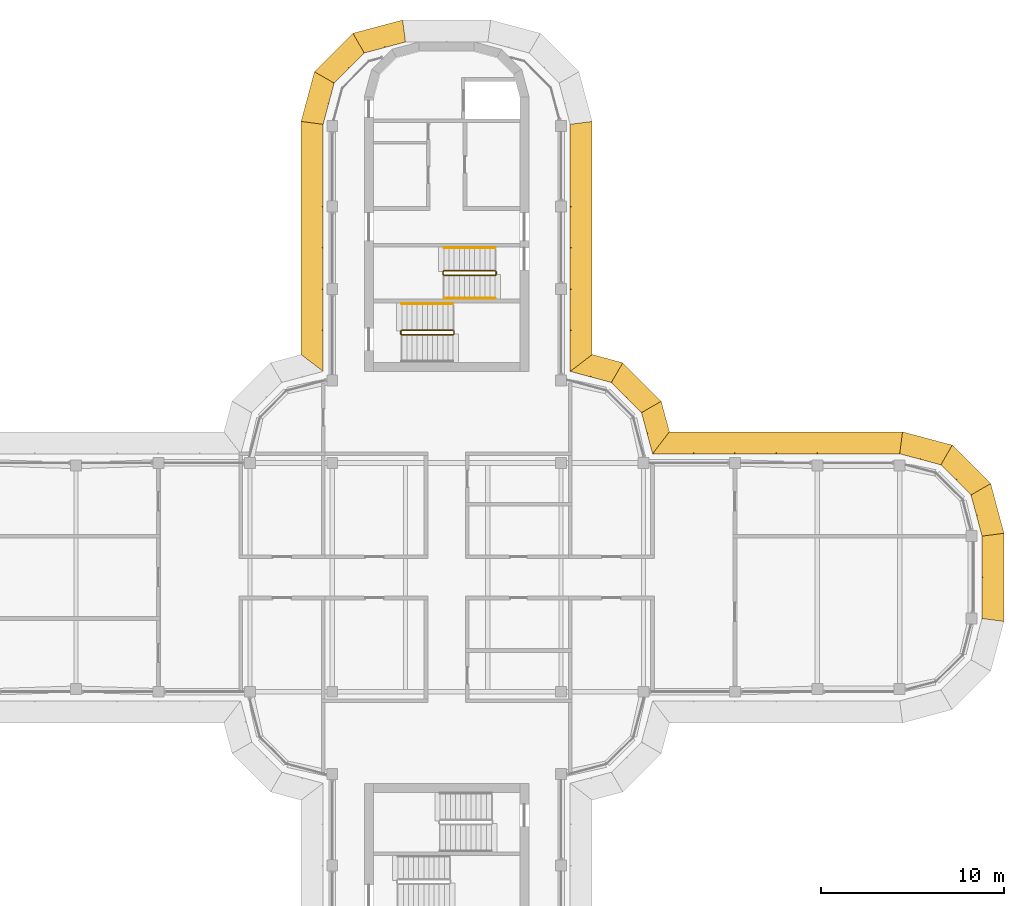
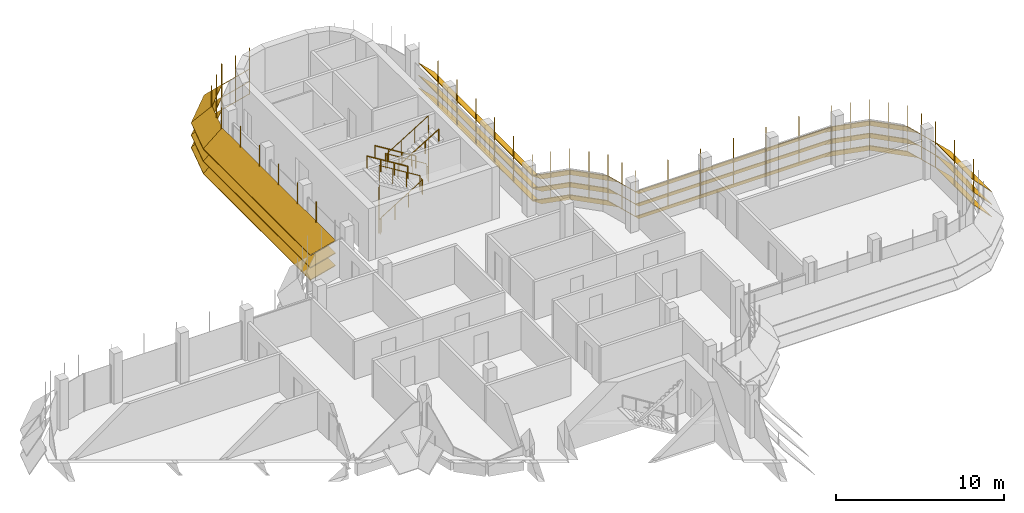
# One storey, part 18 of 19: 7 shading devices, 5 railings.
"""IFC4 building model written with IfcOpenShell, lengths in metres."""

from ifc_helpers import new_model, si_unit, direction, frame, origin, origin_2d, place, context, subcontext, project, spatial, polyline, circle, outline, extrude, faceted_brep, source, transform, mapped, material, type_object, element, save


model = new_model("IFC4")

# Units and contexts
model_context = context("Model", 3, precision=1e-05, world=origin(), true_north=direction((0.0, 1.0)))
body_context = subcontext(model_context, "Body", "Model", "MODEL_VIEW")
ifc_project = project(units=[si_unit("LENGTHUNIT", "METRE"), si_unit("AREAUNIT", "SQUARE_METRE"), si_unit("VOLUMEUNIT", "CUBIC_METRE"), si_unit("PLANEANGLEUNIT", "RADIAN"), si_unit("MASSUNIT", "GRAM", prefix="KILO")], contexts=[model_context])

# Site, building, storey
site_placement = place(None, origin())
site = spatial("IfcSite", under=ifc_project, at=site_placement, CompositionType="ELEMENT")
building_placement = place(site_placement, origin())
building = spatial("IfcBuilding", under=site, at=building_placement, Name="Zarbagh Exchange Tower", CompositionType="ELEMENT")
storey_placement = place(building_placement, frame((0.0, 0.0, 268.800048828125)))
storey = spatial("IfcBuildingStorey", under=building, at=storey_placement, Name="L66", CompositionType="ELEMENT", Elevation=268.800048828125)

# Railings
ifc_material_1 = material(Name="Stainless steel", Category="steel")
railing_type_1 = type_object("IfcRailingType", Name="Stair guard 1100 mm", PredefinedType="GUARDRAIL", material=ifc_material_1)
railing_1_placement = place(storey_placement, frame((2.64990234375, 16.75, 0.172607421875)))
element("IfcRailing", 1, at=railing_1_placement, inside=storey, type_object=railing_type_1, Name="ST1 stair guard 1", PredefinedType="GUARDRAIL", context=body_context, shape_type="SweptSolid", body=[
    extrude(circle(Radius=0.02392578125, at=origin_2d()), frame((0.0, 0.0, 1.076171875), z_axis=(-0.851069175582, 0.0, 0.525053576669), x_axis=(0.0, -1.0, 0.0)), (0.0, 0.0, 1.0), 3.289794921875),
    extrude(circle(Radius=0.02392578125, at=origin_2d()), frame((-2.7998046875, 0.0, 2.80322265625), z_axis=(-0.707106781187, -0.707106781187, 0.0), x_axis=(0.707106781187, -0.707106781187, 0.0)), (0.0, 0.0, 1.0), 0.07080078125),
    extrude(circle(Radius=0.02392578125, at=origin_2d()), frame((-2.849853515625, -0.050048828125, 2.80322265625), z_axis=(0.0, -1.0, 0.0), x_axis=(1.0, 0.0, 0.0)), (0.0, 0.0, 1.0), 0.14990234375),
    extrude(circle(Radius=0.02392578125, at=origin_2d()), frame((-2.849853515625, -0.199951171875, 2.80322265625), z_axis=(0.267953482034, -0.267953482034, 0.925419830635), x_axis=(0.707106781187, 0.707106781187, 0.0)), (0.0, 0.0, 1.0), 0.186767578125),
    extrude(circle(Radius=0.02392578125, at=origin_2d()), frame((-2.7998046875, -0.25, 2.97607421875), z_axis=(0.851069175582, 0.0, 0.525053576669), x_axis=(0.0, 1.0, 0.0)), (0.0, 0.0, 1.0), 3.289794921875),
    extrude(circle(Radius=0.02392578125, at=origin_2d()), frame((0.0, -0.25, 4.70361328125), z_axis=(0.013168290981, 0.013168290981, -0.999826581076), x_axis=(-0.707106781187, 0.707106781187, 0.0)), (0.0, 0.0, 1.0), 3.80078125),
    extrude(circle(Radius=0.02392578125, at=origin_2d()), frame((0.050048828125, -0.199951171875, 0.9033203125), z_axis=(0.0, 1.0, 0.0), x_axis=(-1.0, 0.0, 0.0)), (0.0, 0.0, 1.0), 0.14990234375),
    extrude(circle(Radius=0.02099609375, at=origin_2d()), origin(), (0.0, 0.0, 1.0), 1.052001953125),
    extrude(circle(Radius=0.02099609375, at=origin_2d()), frame((-0.933349609375, 0.0, 0.57568359375)), (0.0, 0.0, 1.0), 1.052001953125),
    extrude(circle(Radius=0.02099609375, at=origin_2d()), frame((-1.866455078125, 0.0, 1.151611328125)), (0.0, 0.0, 1.0), 1.052001953125),
    extrude(circle(Radius=0.02099609375, at=origin_2d()), frame((-2.7998046875, 0.0, 1.727294921875)), (0.0, 0.0, 1.0), 1.052001953125),
    extrude(circle(Radius=0.02099609375, at=origin_2d()), frame((-2.849853515625, -0.050048828125, 1.727294921875)), (0.0, 0.0, 1.0), 1.052001953125),
    extrude(circle(Radius=0.02099609375, at=origin_2d()), frame((-2.849853515625, -0.199951171875, 1.727294921875)), (0.0, 0.0, 1.0), 1.052001953125),
    extrude(circle(Radius=0.02099609375, at=origin_2d()), frame((-2.7998046875, -0.25, 1.900146484375)), (0.0, 0.0, 1.0), 1.052001953125),
    extrude(circle(Radius=0.02099609375, at=origin_2d()), frame((-1.866455078125, -0.25, 2.475830078125)), (0.0, 0.0, 1.0), 1.052001953125),
    extrude(circle(Radius=0.02099609375, at=origin_2d()), frame((-0.933349609375, -0.25, 3.0517578125)), (0.0, 0.0, 1.0), 1.052001953125),
    extrude(circle(Radius=0.02099609375, at=origin_2d()), frame((0.0, -0.25, 3.62744140625)), (0.0, 0.0, 1.0), 1.052001953125),
    extrude(circle(Radius=0.02099609375, at=origin_2d()), frame((0.012451171875, -0.237548828125, 2.677490234375)), (0.0, 0.0, 1.0), 1.052001953125),
    extrude(circle(Radius=0.02099609375, at=origin_2d()), frame((0.02490234375, -0.22509765625, 1.7275390625)), (0.0, 0.0, 1.0), 1.052001953125),
    extrude(circle(Radius=0.02099609375, at=origin_2d()), frame((0.03759765625, -0.21240234375, 0.77734375)), (0.0, 0.0, 1.0), 1.052001953125),
    extrude(circle(Radius=0.02099609375, at=origin_2d()), frame((0.050048828125, -0.199951171875, -0.172607421875)), (0.0, 0.0, 1.0), 1.052001953125),
    extrude(circle(Radius=0.02099609375, at=origin_2d()), frame((0.050048828125, -0.050048828125, -0.172607421875)), (0.0, 0.0, 1.0), 1.052001953125),
])
railing_2_placement = place(storey_placement, frame((0.35009765625, 13.5, 2.07275390625)))
element("IfcRailing", 2, at=railing_2_placement, inside=storey, type_object=railing_type_1, Name="ST2 stair guard 1", PredefinedType="GUARDRAIL", context=body_context, shape_type="SweptSolid", body=[
    extrude(circle(Radius=0.02392578125, at=origin_2d()), frame((0.0, 0.0, 1.076171875), z_axis=(-0.851089632645, 0.0, 0.525020415988), x_axis=(0.0, -1.0, 0.0)), (0.0, 0.0, 1.0), 3.2900390625),
    extrude(circle(Radius=0.02392578125, at=origin_2d()), frame((-2.800048828125, 0.0, 2.80322265625), z_axis=(-0.013168290981, -0.013168290981, -0.999826581076), x_axis=(0.707106781187, -0.707106781187, 0.0)), (0.0, 0.0, 1.0), 3.80078125),
    extrude(circle(Radius=0.02392578125, at=origin_2d()), frame((-2.85009765625, -0.050048828125, -0.99658203125), z_axis=(0.0, -1.0, 0.0), x_axis=(1.0, 0.0, 0.0)), (0.0, 0.0, 1.0), 0.14990234375),
    extrude(circle(Radius=0.02392578125, at=origin_2d()), frame((-2.85009765625, -0.199951171875, -0.99658203125), z_axis=(0.268277960024, -0.268277960024, 0.925231793839), x_axis=(0.707106781187, 0.707106781187, 0.0)), (0.0, 0.0, 1.0), 0.1865234375),
    extrude(circle(Radius=0.02392578125, at=origin_2d()), frame((-2.800048828125, -0.25, -0.82421875), z_axis=(0.851089632645, 0.0, 0.525020415988), x_axis=(0.0, 1.0, 0.0)), (0.0, 0.0, 1.0), 3.2900390625),
    extrude(circle(Radius=0.02392578125, at=origin_2d()), frame((0.0, -0.25, 0.9033203125), z_axis=(0.705375805398, 0.708833529934, 0.0), x_axis=(-0.708833529934, 0.705375805398, 0.0)), (0.0, 0.0, 1.0), 0.070556640625),
    extrude(circle(Radius=0.02392578125, at=origin_2d()), frame((0.0498046875, -0.199951171875, 0.9033203125), z_axis=(0.0, 1.0, 0.0), x_axis=(-1.0, 0.0, 0.0)), (0.0, 0.0, 1.0), 0.14990234375),
    extrude(circle(Radius=0.02099609375, at=origin_2d()), origin(), (0.0, 0.0, 1.0), 1.052001953125),
    extrude(circle(Radius=0.02099609375, at=origin_2d()), frame((-0.933349609375, 0.0, 0.57568359375)), (0.0, 0.0, 1.0), 1.052001953125),
    extrude(circle(Radius=0.02099609375, at=origin_2d()), frame((-1.86669921875, 0.0, 1.151611328125)), (0.0, 0.0, 1.0), 1.052001953125),
    extrude(circle(Radius=0.02099609375, at=origin_2d()), frame((-2.800048828125, 0.0, 1.727294921875)), (0.0, 0.0, 1.0), 1.052001953125),
    extrude(circle(Radius=0.02099609375, at=origin_2d()), frame((-2.8125, -0.012451171875, 0.77734375)), (0.0, 0.0, 1.0), 1.052001953125),
    extrude(circle(Radius=0.02099609375, at=origin_2d()), frame((-2.8251953125, -0.02490234375, -0.1728515625)), (0.0, 0.0, 1.0), 1.052001953125),
    extrude(circle(Radius=0.02099609375, at=origin_2d()), frame((-2.837646484375, -0.03759765625, -1.122802734375)), (0.0, 0.0, 1.0), 1.052001953125),
    extrude(circle(Radius=0.02099609375, at=origin_2d()), frame((-2.85009765625, -0.050048828125, -2.07275390625)), (0.0, 0.0, 1.0), 1.052001953125),
    extrude(circle(Radius=0.02099609375, at=origin_2d()), frame((-2.85009765625, -0.199951171875, -2.07275390625)), (0.0, 0.0, 1.0), 1.052001953125),
    extrude(circle(Radius=0.02099609375, at=origin_2d()), frame((-2.800048828125, -0.25, -1.900146484375)), (0.0, 0.0, 1.0), 1.052001953125),
    extrude(circle(Radius=0.02099609375, at=origin_2d()), frame((-1.86669921875, -0.25, -1.324462890625)), (0.0, 0.0, 1.0), 1.052001953125),
    extrude(circle(Radius=0.02099609375, at=origin_2d()), frame((-0.933349609375, -0.25, -0.74853515625)), (0.0, 0.0, 1.0), 1.052001953125),
    extrude(circle(Radius=0.02099609375, at=origin_2d()), frame((0.0, -0.25, -0.1728515625)), (0.0, 0.0, 1.0), 1.052001953125),
    extrude(circle(Radius=0.02099609375, at=origin_2d()), frame((0.0498046875, -0.199951171875, -0.1728515625)), (0.0, 0.0, 1.0), 1.052001953125),
    extrude(circle(Radius=0.02099609375, at=origin_2d()), frame((0.0498046875, -0.050048828125, -0.1728515625)), (0.0, 0.0, 1.0), 1.052001953125),
])
railing_type_2 = type_object("IfcRailingType", Name="Stair handrail 900 mm", PredefinedType="HANDRAIL", material=ifc_material_1)
railing_3_placement = place(storey_placement, frame((2.64990234375, 18.0, 0.172607421875)))
element("IfcRailing", 3, at=railing_3_placement, inside=storey, type_object=railing_type_2, Name="ST1 stair handrail 1", PredefinedType="HANDRAIL", context=body_context, shape_type="SweptSolid", body=[
    extrude(circle(Radius=0.02392578125, at=origin_2d()), frame((0.0, 0.0, 0.8759765625), z_axis=(-0.851069175582, 0.0, 0.525053576669), x_axis=(0.0, -1.0, 0.0)), (0.0, 0.0, 1.0), 3.289794921875),
    extrude(circle(Radius=0.02099609375, at=origin_2d()), origin(), (0.0, 0.0, 1.0), 0.851806640625),
    extrude(circle(Radius=0.02099609375, at=origin_2d()), frame((-0.933349609375, 0.0, 0.57568359375)), (0.0, 0.0, 1.0), 0.851806640625),
    extrude(circle(Radius=0.02099609375, at=origin_2d()), frame((-1.866455078125, 0.0, 1.151611328125)), (0.0, 0.0, 1.0), 0.851806640625),
    extrude(circle(Radius=0.02099609375, at=origin_2d()), frame((-2.7998046875, 0.0, 1.727294921875)), (0.0, 0.0, 1.0), 0.851806640625),
])
railing_4_placement = place(storey_placement, frame((-0.14990234375, 15.25, 2.07275390625)))
element("IfcRailing", 4, at=railing_4_placement, inside=storey, type_object=railing_type_2, Name="ST1 stair handrail 2", PredefinedType="HANDRAIL", context=body_context, shape_type="SweptSolid", body=[
    extrude(circle(Radius=0.02392578125, at=origin_2d()), frame((0.0, 0.0, 0.8759765625), z_axis=(0.851069175582, 0.0, 0.525053576669), x_axis=(0.0, 1.0, 0.0)), (0.0, 0.0, 1.0), 3.289794921875),
    extrude(circle(Radius=0.02099609375, at=origin_2d()), origin(), (0.0, 0.0, 1.0), 0.851806640625),
    extrude(circle(Radius=0.02099609375, at=origin_2d()), frame((0.933349609375, 0.0, 0.57568359375)), (0.0, 0.0, 1.0), 0.851806640625),
    extrude(circle(Radius=0.02099609375, at=origin_2d()), frame((1.866455078125, 0.0, 1.151611328125)), (0.0, 0.0, 1.0), 0.851806640625),
    extrude(circle(Radius=0.02099609375, at=origin_2d()), frame((2.7998046875, 0.0, 1.727294921875)), (0.0, 0.0, 1.0), 0.851806640625),
])
railing_5_placement = place(storey_placement, frame((0.35009765625, 14.949951171875, 2.07275390625)))
element("IfcRailing", 5, at=railing_5_placement, inside=storey, type_object=railing_type_2, Name="ST2 stair handrail 2", PredefinedType="HANDRAIL", context=body_context, shape_type="SweptSolid", body=[
    extrude(circle(Radius=0.02392578125, at=origin_2d()), frame((0.0, 0.0, 0.8759765625), z_axis=(-0.851089632645, 0.0, 0.525020415988), x_axis=(0.0, -1.0, 0.0)), (0.0, 0.0, 1.0), 3.2900390625),
    extrude(circle(Radius=0.02099609375, at=origin_2d()), origin(), (0.0, 0.0, 1.0), 0.851806640625),
    extrude(circle(Radius=0.02099609375, at=origin_2d()), frame((-0.933349609375, 0.0, 0.57568359375)), (0.0, 0.0, 1.0), 0.851806640625),
    extrude(circle(Radius=0.02099609375, at=origin_2d()), frame((-1.86669921875, 0.0, 1.151611328125)), (0.0, 0.0, 1.0), 0.851806640625),
    extrude(circle(Radius=0.02099609375, at=origin_2d()), frame((-2.800048828125, 0.0, 1.727294921875)), (0.0, 0.0, 1.0), 0.851806640625),
])

# Shading devices
ifc_material_2 = material(Name="Anodised aluminium blades and brackets", Category="aluminium")
shading_device_type = type_object("IfcShadingDeviceType", Name="SUNSHADE louvre band, 45 degree blades", PredefinedType="JALOUSIE", material=ifc_material_2)
shared_shape_1 = source(origin(), body_context, "Body", "Brep", [
    faceted_brep([(0.0, 0.0, 0.0), (0.0, 0.0, -0.056640625), (-0.157958984375, -1.199951171875, -1.256591796875), (-0.157958984375, -1.199951171875, -1.199951171875), (2.65087890625, -1.199951171875, -1.199951171875), (2.65087890625, -1.199951171875, -1.256591796875), (2.329345703125, 0.0, -0.056640625), (2.329345703125, 0.0, 0.0)], [[[0, 1, 2, 3]], [[4, 5, 6, 7]], [[0, 7, 6, 1]], [[1, 6, 5, 2]], [[2, 5, 4, 3]], [[3, 4, 7, 0]]]),
])
shared_shape_2 = source(origin(), body_context, "Body", "Brep", [
    faceted_brep([(0.0, 0.0, 0.0), (0.0, 0.0, -0.056640625), (-0.321533203125, -1.199951171875, -1.256591796875), (-0.321533203125, -1.199951171875, -1.199951171875), (2.65087890625, -1.199951171875, -1.199951171875), (2.65087890625, -1.199951171875, -1.256591796875), (2.329345703125, 0.0, -0.056640625), (2.329345703125, 0.0, 0.0)], [[[0, 1, 2, 3]], [[4, 5, 6, 7]], [[0, 7, 6, 1]], [[1, 6, 5, 2]], [[2, 5, 4, 3]], [[3, 4, 7, 0]]]),
])
shared_shape_3 = source(origin(), body_context, "Body", "Brep", [
    faceted_brep([(0.0, 0.0, 0.0), (0.0, 0.0, -0.056640625), (-0.321533203125, -1.199951171875, -1.256591796875), (-0.321533203125, -1.199951171875, -1.199951171875), (2.4873046875, -1.199951171875, -1.199951171875), (2.4873046875, -1.199951171875, -1.256591796875), (2.329345703125, 0.0, -0.056640625), (2.329345703125, 0.0, 0.0)], [[[0, 1, 2, 3]], [[4, 5, 6, 7]], [[0, 7, 6, 1]], [[1, 6, 5, 2]], [[2, 5, 4, 3]], [[3, 4, 7, 0]]]),
])
shared_shape_4 = source(origin(), body_context, "Body", "SweptSolid", [
    extrude(outline(polyline([(0.0, -0.012451171875), (0.06005859375, -0.012451171875), (0.06005859375, 0.012451171875), (0.0, 0.012451171875), (0.0, -0.012451171875)])), origin(), (0.0, 0.0, 1.0), 3.366455078125),
])
placement = place(storey_placement, origin())
element("IfcShadingDevice", 6, at=placement, inside=storey, type_object=shading_device_type, Name="SS53 sunshade band", PredefinedType="JALOUSIE", context=body_context, shape_type="MappedRepresentation", body=[
    mapped(shared_shape_1, transform((29.25, 2.25, 2.300048828125), x_axis=(-0.258824779902, 0.965924289636, 0.0), y_axis=(-0.965924289636, -0.258824779902, 0.0), z_axis=(0.0, 0.0, 1.0))),
    mapped(shared_shape_1, transform((29.25, 2.25, 1.39990234375), x_axis=(-0.258824779902, 0.965924289636, 0.0), y_axis=(-0.965924289636, -0.258824779902, 0.0), z_axis=(0.0, 0.0, 1.0))),
    mapped(shared_shape_1, transform((29.25, 2.25, 0.5), x_axis=(-0.258824779902, 0.965924289636, 0.0), y_axis=(-0.965924289636, -0.258824779902, 0.0), z_axis=(0.0, 0.0, 1.0))),
    mapped(shared_shape_2, transform((28.647216796875, 4.5, 2.300048828125), x_axis=(-0.707106781187, 0.707106781187, 0.0), y_axis=(-0.707106781187, -0.707106781187, 0.0), z_axis=(0.0, 0.0, 1.0))),
    mapped(shared_shape_2, transform((28.647216796875, 4.5, 1.39990234375), x_axis=(-0.707106781187, 0.707106781187, 0.0), y_axis=(-0.707106781187, -0.707106781187, 0.0), z_axis=(0.0, 0.0, 1.0))),
    mapped(shared_shape_2, transform((28.647216796875, 4.5, 0.5), x_axis=(-0.707106781187, 0.707106781187, 0.0), y_axis=(-0.707106781187, -0.707106781187, 0.0), z_axis=(0.0, 0.0, 1.0))),
    mapped(shared_shape_3, transform((27.0, 6.147216796875, 2.300048828125), x_axis=(-0.965924289636, 0.258824779902, 0.0), y_axis=(-0.258824779902, -0.965924289636, 0.0), z_axis=(0.0, 0.0, 1.0))),
    mapped(shared_shape_3, transform((27.0, 6.147216796875, 1.39990234375), x_axis=(-0.965924289636, 0.258824779902, 0.0), y_axis=(-0.258824779902, -0.965924289636, 0.0), z_axis=(0.0, 0.0, 1.0))),
    mapped(shared_shape_3, transform((27.0, 6.147216796875, 0.5), x_axis=(-0.965924289636, 0.258824779902, 0.0), y_axis=(-0.258824779902, -0.965924289636, 0.0), z_axis=(0.0, 0.0, 1.0))),
    mapped(shared_shape_4, transform((29.25, 2.25, 0.413330078125), x_axis=(0.991444457092, 0.130529263012, 0.0), y_axis=(-0.130529263012, 0.991444457092, 0.0), z_axis=(0.0, 0.0, 1.0))),
    mapped(shared_shape_4, transform((28.948486328125, 3.375, 0.413330078125), x_axis=(0.96592421511, 0.258825058029, 0.0), y_axis=(-0.258825058029, 0.96592421511, 0.0), z_axis=(0.0, 0.0, 1.0))),
    mapped(shared_shape_4, transform((28.647216796875, 4.5, 0.413330078125), x_axis=(0.866023812018, 0.50000275701, 0.0), y_axis=(-0.50000275701, 0.866023812018, 0.0), z_axis=(0.0, 0.0, 1.0))),
    mapped(shared_shape_4, transform((27.823486328125, 5.323486328125, 0.413330078125), x_axis=(0.707106781187, 0.707106781187, 0.0), y_axis=(-0.707106781187, 0.707106781187, 0.0), z_axis=(0.0, 0.0, 1.0))),
    mapped(shared_shape_4, transform((27.0, 6.147216796875, 0.413330078125), x_axis=(0.50000275701, 0.866023812018, 0.0), y_axis=(-0.866023812018, 0.50000275701, 0.0), z_axis=(0.0, 0.0, 1.0))),
    mapped(shared_shape_4, transform((25.875, 6.448486328125, 0.413330078125), x_axis=(0.258825058029, 0.96592421511, 0.0), y_axis=(-0.96592421511, 0.258825058029, 0.0), z_axis=(0.0, 0.0, 1.0))),
])
element("IfcShadingDevice", 7, at=placement, inside=storey, type_object=shading_device_type, Name="SS48 sunshade band", PredefinedType="JALOUSIE", context=body_context, shape_type="MappedRepresentation", body=[
    mapped(shared_shape_1, transform((-2.25, 29.25, 2.300048828125), x_axis=(-0.965924289636, -0.258824779902, 0.0), y_axis=(0.258824779902, -0.965924289636, 0.0), z_axis=(0.0, 0.0, 1.0))),
    mapped(shared_shape_1, transform((-2.25, 29.25, 1.39990234375), x_axis=(-0.965924289636, -0.258824779902, 0.0), y_axis=(0.258824779902, -0.965924289636, 0.0), z_axis=(0.0, 0.0, 1.0))),
    mapped(shared_shape_1, transform((-2.25, 29.25, 0.5), x_axis=(-0.965924289636, -0.258824779902, 0.0), y_axis=(0.258824779902, -0.965924289636, 0.0), z_axis=(0.0, 0.0, 1.0))),
    mapped(shared_shape_2, transform((-4.5, 28.647216796875, 2.300048828125), x_axis=(-0.707106781187, -0.707106781187, 0.0), y_axis=(0.707106781187, -0.707106781187, 0.0), z_axis=(0.0, 0.0, 1.0))),
    mapped(shared_shape_2, transform((-4.5, 28.647216796875, 1.39990234375), x_axis=(-0.707106781187, -0.707106781187, 0.0), y_axis=(0.707106781187, -0.707106781187, 0.0), z_axis=(0.0, 0.0, 1.0))),
    mapped(shared_shape_2, transform((-4.5, 28.647216796875, 0.5), x_axis=(-0.707106781187, -0.707106781187, 0.0), y_axis=(0.707106781187, -0.707106781187, 0.0), z_axis=(0.0, 0.0, 1.0))),
    mapped(shared_shape_3, transform((-6.147216796875, 27.0, 2.300048828125), x_axis=(-0.258824779902, -0.965924289636, 0.0), y_axis=(0.965924289636, -0.258824779902, 0.0), z_axis=(0.0, 0.0, 1.0))),
    mapped(shared_shape_3, transform((-6.147216796875, 27.0, 1.39990234375), x_axis=(-0.258824779902, -0.965924289636, 0.0), y_axis=(0.965924289636, -0.258824779902, 0.0), z_axis=(0.0, 0.0, 1.0))),
    mapped(shared_shape_3, transform((-6.147216796875, 27.0, 0.5), x_axis=(-0.258824779902, -0.965924289636, 0.0), y_axis=(0.965924289636, -0.258824779902, 0.0), z_axis=(0.0, 0.0, 1.0))),
    mapped(shared_shape_4, transform((-2.25, 29.25, 0.413330078125), x_axis=(-0.130529263012, 0.991444457092, 0.0), y_axis=(-0.991444457092, -0.130529263012, 0.0), z_axis=(0.0, 0.0, 1.0))),
    mapped(shared_shape_4, transform((-3.375, 28.948486328125, 0.413330078125), x_axis=(-0.258825058029, 0.96592421511, 0.0), y_axis=(-0.96592421511, -0.258825058029, 0.0), z_axis=(0.0, 0.0, 1.0))),
    mapped(shared_shape_4, transform((-4.5, 28.647216796875, 0.413330078125), x_axis=(-0.50000275701, 0.866023812018, 0.0), y_axis=(-0.866023812018, -0.50000275701, 0.0), z_axis=(0.0, 0.0, 1.0))),
    mapped(shared_shape_4, transform((-5.323486328125, 27.823486328125, 0.413330078125), x_axis=(-0.707106781187, 0.707106781187, 0.0), y_axis=(-0.707106781187, -0.707106781187, 0.0), z_axis=(0.0, 0.0, 1.0))),
    mapped(shared_shape_4, transform((-6.147216796875, 27.0, 0.413330078125), x_axis=(-0.866023812018, 0.50000275701, 0.0), y_axis=(-0.50000275701, -0.866023812018, 0.0), z_axis=(0.0, 0.0, 1.0))),
    mapped(shared_shape_4, transform((-6.448486328125, 25.875, 0.413330078125), x_axis=(-0.96592421511, 0.258825058029, 0.0), y_axis=(-0.258825058029, -0.96592421511, 0.0), z_axis=(0.0, 0.0, 1.0))),
])
shared_shape_5 = source(origin(), body_context, "Body", "Brep", [
    faceted_brep([(0.0, 0.0, 0.0), (0.0, 0.0, -0.056640625), (0.9208984375, -1.199951171875, -1.256591796875), (0.9208984375, -1.199951171875, -1.199951171875), (2.65087890625, -1.199951171875, -1.199951171875), (2.65087890625, -1.199951171875, -1.256591796875), (2.329345703125, 0.0, -0.056640625), (2.329345703125, 0.0, 0.0)], [[[0, 1, 2, 3]], [[4, 5, 6, 7]], [[0, 7, 6, 1]], [[1, 6, 5, 2]], [[2, 5, 4, 3]], [[3, 4, 7, 0]]]),
])
shared_shape_6 = source(origin(), body_context, "Body", "Brep", [
    faceted_brep([(0.0, 0.0, 0.0), (0.0, 0.0, -0.056640625), (-0.321533203125, -1.199951171875, -1.256591796875), (-0.321533203125, -1.199951171875, -1.199951171875), (1.40869140625, -1.199951171875, -1.199951171875), (1.40869140625, -1.199951171875, -1.256591796875), (2.329345703125, 0.0, -0.056640625), (2.329345703125, 0.0, 0.0)], [[[0, 1, 2, 3]], [[4, 5, 6, 7]], [[0, 7, 6, 1]], [[1, 6, 5, 2]], [[2, 5, 4, 3]], [[3, 4, 7, 0]]]),
])
element("IfcShadingDevice", 8, at=placement, inside=storey, type_object=shading_device_type, Name="SS09 sunshade band", PredefinedType="JALOUSIE", context=body_context, shape_type="MappedRepresentation", body=[
    mapped(shared_shape_5, transform((11.25, 6.75, 2.300048828125), x_axis=(-0.258824779902, 0.965924289636, 0.0), y_axis=(-0.965924289636, -0.258824779902, 0.0), z_axis=(0.0, 0.0, 1.0))),
    mapped(shared_shape_5, transform((11.25, 6.75, 1.39990234375), x_axis=(-0.258824779902, 0.965924289636, 0.0), y_axis=(-0.965924289636, -0.258824779902, 0.0), z_axis=(0.0, 0.0, 1.0))),
    mapped(shared_shape_5, transform((11.25, 6.75, 0.5), x_axis=(-0.258824779902, 0.965924289636, 0.0), y_axis=(-0.965924289636, -0.258824779902, 0.0), z_axis=(0.0, 0.0, 1.0))),
    mapped(shared_shape_2, transform((10.647216796875, 9.0, 2.300048828125), x_axis=(-0.707106781187, 0.707106781187, 0.0), y_axis=(-0.707106781187, -0.707106781187, 0.0), z_axis=(0.0, 0.0, 1.0))),
    mapped(shared_shape_2, transform((10.647216796875, 9.0, 1.39990234375), x_axis=(-0.707106781187, 0.707106781187, 0.0), y_axis=(-0.707106781187, -0.707106781187, 0.0), z_axis=(0.0, 0.0, 1.0))),
    mapped(shared_shape_2, transform((10.647216796875, 9.0, 0.5), x_axis=(-0.707106781187, 0.707106781187, 0.0), y_axis=(-0.707106781187, -0.707106781187, 0.0), z_axis=(0.0, 0.0, 1.0))),
    mapped(shared_shape_6, transform((9.0, 10.647216796875, 2.300048828125), x_axis=(-0.965924289636, 0.258824779902, 0.0), y_axis=(-0.258824779902, -0.965924289636, 0.0), z_axis=(0.0, 0.0, 1.0))),
    mapped(shared_shape_6, transform((9.0, 10.647216796875, 1.39990234375), x_axis=(-0.965924289636, 0.258824779902, 0.0), y_axis=(-0.258824779902, -0.965924289636, 0.0), z_axis=(0.0, 0.0, 1.0))),
    mapped(shared_shape_6, transform((9.0, 10.647216796875, 0.5), x_axis=(-0.965924289636, 0.258824779902, 0.0), y_axis=(-0.258824779902, -0.965924289636, 0.0), z_axis=(0.0, 0.0, 1.0))),
    mapped(shared_shape_4, transform((11.25, 6.75, 0.413330078125), x_axis=(0.608758892, 0.793355287, 0.0), y_axis=(-0.793355287, 0.608758892, 0.0), z_axis=(0.0, 0.0, 1.0))),
    mapped(shared_shape_4, transform((10.948486328125, 7.875, 0.413330078125), x_axis=(0.96592421511, 0.258825058029, 0.0), y_axis=(-0.258825058029, 0.96592421511, 0.0), z_axis=(0.0, 0.0, 1.0))),
    mapped(shared_shape_4, transform((10.647216796875, 9.0, 0.413330078125), x_axis=(0.866023812018, 0.50000275701, 0.0), y_axis=(-0.50000275701, 0.866023812018, 0.0), z_axis=(0.0, 0.0, 1.0))),
    mapped(shared_shape_4, transform((9.823486328125, 9.823486328125, 0.413330078125), x_axis=(0.707106781187, 0.707106781187, 0.0), y_axis=(-0.707106781187, 0.707106781187, 0.0), z_axis=(0.0, 0.0, 1.0))),
    mapped(shared_shape_4, transform((9.0, 10.647216796875, 0.413330078125), x_axis=(0.50000275701, 0.866023812018, 0.0), y_axis=(-0.866023812018, 0.50000275701, 0.0), z_axis=(0.0, 0.0, 1.0))),
    mapped(shared_shape_4, transform((7.875, 10.948486328125, 0.413330078125), x_axis=(0.258825058029, 0.96592421511, 0.0), y_axis=(-0.96592421511, 0.258825058029, 0.0), z_axis=(0.0, 0.0, 1.0))),
])
shared_shape_7 = source(origin(), body_context, "Body", "Brep", [
    faceted_brep([(0.0, 0.0, 0.0), (0.0, 0.0, -0.056640625), (-0.157958984375, -1.199951171875, -1.256591796875), (-0.157958984375, -1.199951171875, -1.199951171875), (4.657958984375, -1.199951171875, -1.199951171875), (4.657958984375, -1.199951171875, -1.256591796875), (4.5, 0.0, -0.056640625), (4.5, 0.0, 0.0)], [[[0, 1, 2, 3]], [[4, 5, 6, 7]], [[0, 7, 6, 1]], [[1, 6, 5, 2]], [[2, 5, 4, 3]], [[3, 4, 7, 0]]]),
])
element("IfcShadingDevice", 9, at=placement, inside=storey, type_object=shading_device_type, Name="SS52 sunshade band", PredefinedType="JALOUSIE", context=body_context, shape_type="MappedRepresentation", body=[
    mapped(shared_shape_7, transform((29.25, -2.25, 2.300048828125), x_axis=(0.0, 1.0, 0.0), y_axis=(-1.0, 0.0, 0.0), z_axis=(0.0, 0.0, 1.0))),
    mapped(shared_shape_7, transform((29.25, -2.25, 1.39990234375), x_axis=(0.0, 1.0, 0.0), y_axis=(-1.0, 0.0, 0.0), z_axis=(0.0, 0.0, 1.0))),
    mapped(shared_shape_7, transform((29.25, -2.25, 0.5), x_axis=(0.0, 1.0, 0.0), y_axis=(-1.0, 0.0, 0.0), z_axis=(0.0, 0.0, 1.0))),
    mapped(shared_shape_4, transform((29.25, -2.25, 0.413330078125), x_axis=(0.991444457092, -0.130529263012, 0.0), y_axis=(0.130529263012, 0.991444457092, 0.0), z_axis=(0.0, 0.0, 1.0))),
    mapped(shared_shape_4, transform((29.25, 0.0, 0.413330078125), x_axis=(1.0, 0.0, 0.0), y_axis=(0.0, 1.0, 0.0), z_axis=(0.0, 0.0, 1.0))),
])
shared_shape_8 = source(origin(), body_context, "Body", "Brep", [
    faceted_brep([(0.0, 0.0, 0.0), (0.0, 0.0, -0.056640625), (-0.157958984375, -1.199951171875, -1.256591796875), (-0.157958984375, -1.199951171875, -1.199951171875), (12.5791015625, -1.199951171875, -1.199951171875), (12.5791015625, -1.199951171875, -1.256591796875), (13.5, 0.0, -0.056640625), (13.5, 0.0, 0.0)], [[[0, 1, 2, 3]], [[4, 5, 6, 7]], [[0, 7, 6, 1]], [[1, 6, 5, 2]], [[2, 5, 4, 3]], [[3, 4, 7, 0]]]),
])
element("IfcShadingDevice", 10, at=placement, inside=storey, type_object=shading_device_type, Name="SS54 sunshade band", PredefinedType="JALOUSIE", context=body_context, shape_type="MappedRepresentation", body=[
    mapped(shared_shape_8, transform((24.75, 6.75, 2.300048828125), x_axis=(-1.0, 0.0, 0.0), y_axis=(0.0, -1.0, 0.0), z_axis=(0.0, 0.0, 1.0))),
    mapped(shared_shape_8, transform((24.75, 6.75, 1.39990234375), x_axis=(-1.0, 0.0, 0.0), y_axis=(0.0, -1.0, 0.0), z_axis=(0.0, 0.0, 1.0))),
    mapped(shared_shape_8, transform((24.75, 6.75, 0.5), x_axis=(-1.0, 0.0, 0.0), y_axis=(0.0, -1.0, 0.0), z_axis=(0.0, 0.0, 1.0))),
    mapped(shared_shape_4, transform((24.75, 6.75, 0.413330078125), x_axis=(0.130529263012, 0.991444457092, 0.0), y_axis=(-0.991444457092, 0.130529263012, 0.0), z_axis=(0.0, 0.0, 1.0))),
    mapped(shared_shape_4, transform((22.5, 6.75, 0.413330078125), x_axis=(0.0, 1.0, 0.0), y_axis=(-1.0, 0.0, 0.0), z_axis=(0.0, 0.0, 1.0))),
    mapped(shared_shape_4, transform((20.25, 6.75, 0.413330078125), x_axis=(0.0, 1.0, 0.0), y_axis=(-1.0, 0.0, 0.0), z_axis=(0.0, 0.0, 1.0))),
    mapped(shared_shape_4, transform((18.0, 6.75, 0.413330078125), x_axis=(0.0, 1.0, 0.0), y_axis=(-1.0, 0.0, 0.0), z_axis=(0.0, 0.0, 1.0))),
    mapped(shared_shape_4, transform((15.75, 6.75, 0.413330078125), x_axis=(0.0, 1.0, 0.0), y_axis=(-1.0, 0.0, 0.0), z_axis=(0.0, 0.0, 1.0))),
    mapped(shared_shape_4, transform((13.5, 6.75, 0.413330078125), x_axis=(0.0, 1.0, 0.0), y_axis=(-1.0, 0.0, 0.0), z_axis=(0.0, 0.0, 1.0))),
])
shared_shape_9 = source(origin(), body_context, "Body", "Brep", [
    faceted_brep([(0.0, 0.0, 0.0), (0.0, 0.0, -0.056640625), (0.9208984375, -1.199951171875, -1.256591796875), (0.9208984375, -1.199951171875, -1.199951171875), (13.657958984375, -1.199951171875, -1.199951171875), (13.657958984375, -1.199951171875, -1.256591796875), (13.5, 0.0, -0.056640625), (13.5, 0.0, 0.0)], [[[0, 1, 2, 3]], [[4, 5, 6, 7]], [[0, 7, 6, 1]], [[1, 6, 5, 2]], [[2, 5, 4, 3]], [[3, 4, 7, 0]]]),
])
element("IfcShadingDevice", 11, at=placement, inside=storey, type_object=shading_device_type, Name="SS45 sunshade band", PredefinedType="JALOUSIE", context=body_context, shape_type="MappedRepresentation", body=[
    mapped(shared_shape_9, transform((6.75, 11.25, 2.300048828125), x_axis=(0.0, 1.0, 0.0), y_axis=(-1.0, 0.0, 0.0), z_axis=(0.0, 0.0, 1.0))),
    mapped(shared_shape_9, transform((6.75, 11.25, 1.39990234375), x_axis=(0.0, 1.0, 0.0), y_axis=(-1.0, 0.0, 0.0), z_axis=(0.0, 0.0, 1.0))),
    mapped(shared_shape_9, transform((6.75, 11.25, 0.5), x_axis=(0.0, 1.0, 0.0), y_axis=(-1.0, 0.0, 0.0), z_axis=(0.0, 0.0, 1.0))),
    mapped(shared_shape_4, transform((6.75, 11.25, 0.413330078125), x_axis=(0.793355287, 0.608758892, 0.0), y_axis=(-0.608758892, 0.793355287, 0.0), z_axis=(0.0, 0.0, 1.0))),
    mapped(shared_shape_4, transform((6.75, 13.5, 0.413330078125), x_axis=(1.0, 0.0, 0.0), y_axis=(0.0, 1.0, 0.0), z_axis=(0.0, 0.0, 1.0))),
    mapped(shared_shape_4, transform((6.75, 15.75, 0.413330078125), x_axis=(1.0, 0.0, 0.0), y_axis=(0.0, 1.0, 0.0), z_axis=(0.0, 0.0, 1.0))),
    mapped(shared_shape_4, transform((6.75, 18.0, 0.413330078125), x_axis=(1.0, 0.0, 0.0), y_axis=(0.0, 1.0, 0.0), z_axis=(0.0, 0.0, 1.0))),
    mapped(shared_shape_4, transform((6.75, 20.25, 0.413330078125), x_axis=(1.0, 0.0, 0.0), y_axis=(0.0, 1.0, 0.0), z_axis=(0.0, 0.0, 1.0))),
    mapped(shared_shape_4, transform((6.75, 22.5, 0.413330078125), x_axis=(1.0, 0.0, 0.0), y_axis=(0.0, 1.0, 0.0), z_axis=(0.0, 0.0, 1.0))),
])
element("IfcShadingDevice", 12, at=placement, inside=storey, type_object=shading_device_type, Name="SS49 sunshade band", PredefinedType="JALOUSIE", context=body_context, shape_type="MappedRepresentation", body=[
    mapped(shared_shape_8, transform((-6.75, 24.75, 2.300048828125), x_axis=(0.0, -1.0, 0.0), y_axis=(1.0, 0.0, 0.0), z_axis=(0.0, 0.0, 1.0))),
    mapped(shared_shape_8, transform((-6.75, 24.75, 1.39990234375), x_axis=(0.0, -1.0, 0.0), y_axis=(1.0, 0.0, 0.0), z_axis=(0.0, 0.0, 1.0))),
    mapped(shared_shape_8, transform((-6.75, 24.75, 0.5), x_axis=(0.0, -1.0, 0.0), y_axis=(1.0, 0.0, 0.0), z_axis=(0.0, 0.0, 1.0))),
    mapped(shared_shape_4, transform((-6.75, 24.75, 0.413330078125), x_axis=(-0.991444457092, 0.130529263012, 0.0), y_axis=(-0.130529263012, -0.991444457092, 0.0), z_axis=(0.0, 0.0, 1.0))),
    mapped(shared_shape_4, transform((-6.75, 22.5, 0.413330078125), x_axis=(-1.0, 0.0, 0.0), y_axis=(0.0, -1.0, 0.0), z_axis=(0.0, 0.0, 1.0))),
    mapped(shared_shape_4, transform((-6.75, 20.25, 0.413330078125), x_axis=(-1.0, 0.0, 0.0), y_axis=(0.0, -1.0, 0.0), z_axis=(0.0, 0.0, 1.0))),
    mapped(shared_shape_4, transform((-6.75, 18.0, 0.413330078125), x_axis=(-1.0, 0.0, 0.0), y_axis=(0.0, -1.0, 0.0), z_axis=(0.0, 0.0, 1.0))),
    mapped(shared_shape_4, transform((-6.75, 15.75, 0.413330078125), x_axis=(-1.0, 0.0, 0.0), y_axis=(0.0, -1.0, 0.0), z_axis=(0.0, 0.0, 1.0))),
    mapped(shared_shape_4, transform((-6.75, 13.5, 0.413330078125), x_axis=(-1.0, 0.0, 0.0), y_axis=(0.0, -1.0, 0.0), z_axis=(0.0, 0.0, 1.0))),
])

save(model, "model.ifc")
